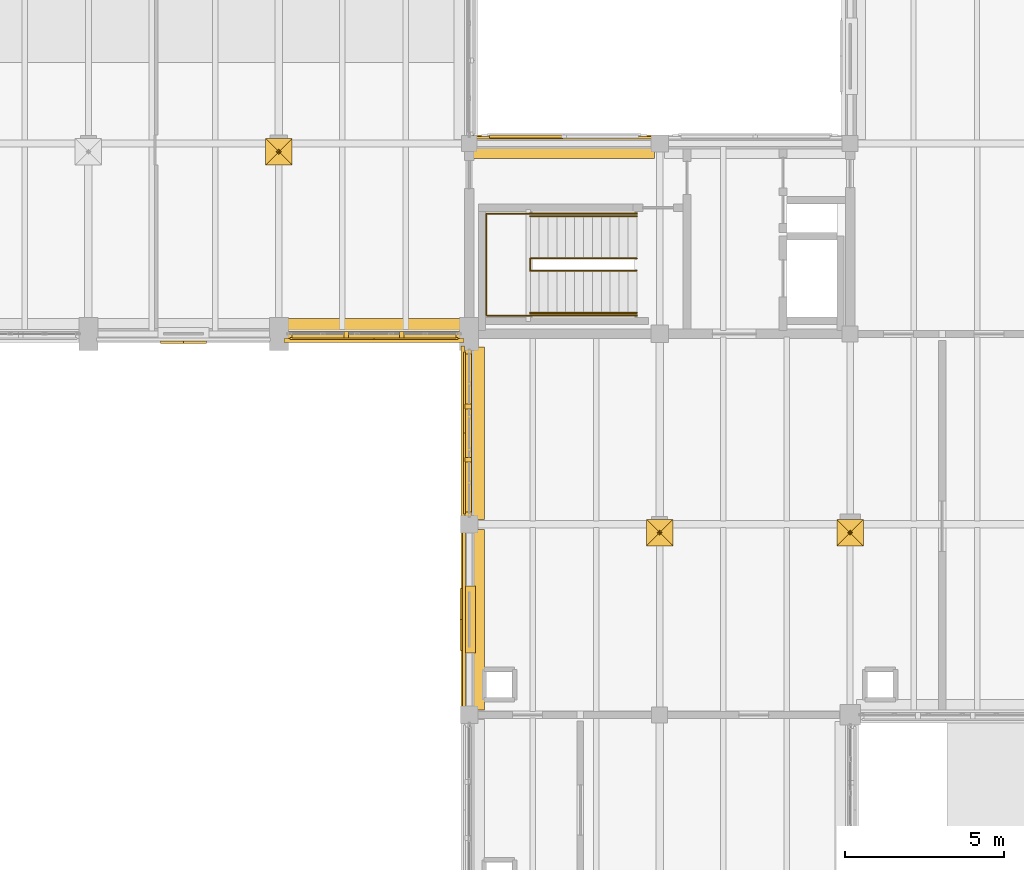
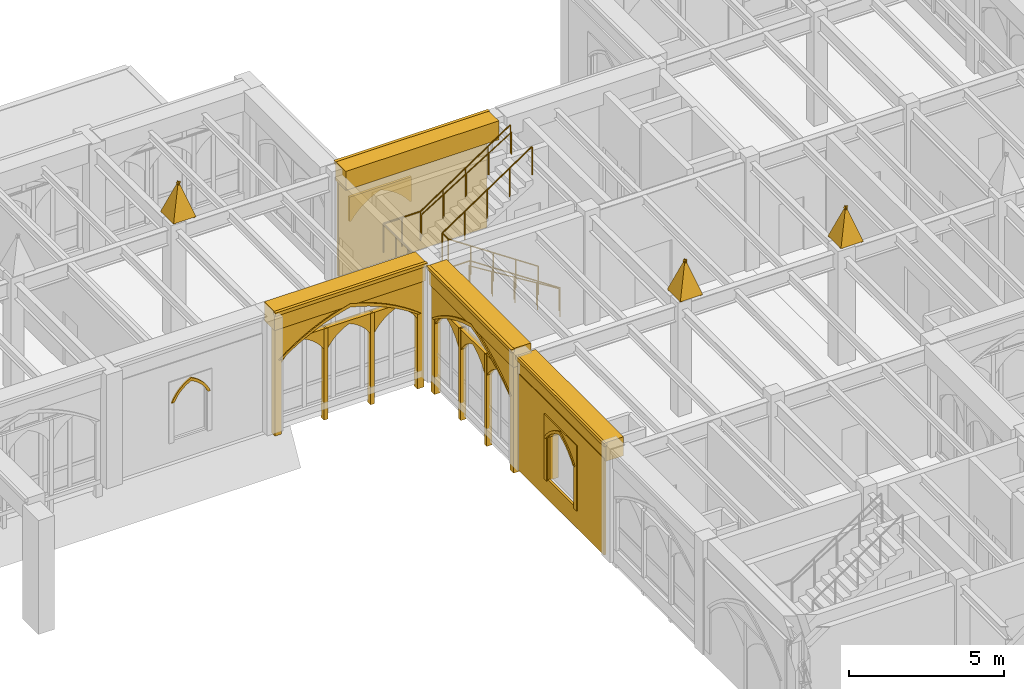
# One storey, part 133 of 143: 40 coverings, 6 railings.
"""IFC4 building model written with IfcOpenShell, lengths in metres."""

from ifc_helpers import new_model, si_unit, direction, frame, origin, origin_2d, place, context, subcontext, project, spatial, polyline, rectangle, circle, outline, extrude, material, type_object, element, save


model = new_model("IFC4")

# Units and contexts
model_context = context("Model", 3, precision=1e-05, world=origin(), true_north=direction((0.0, 1.0)))
body_context = subcontext(model_context, "Body", "Model", "MODEL_VIEW")
ifc_project = project(units=[si_unit("LENGTHUNIT", "METRE"), si_unit("AREAUNIT", "SQUARE_METRE"), si_unit("VOLUMEUNIT", "CUBIC_METRE"), si_unit("PLANEANGLEUNIT", "RADIAN"), si_unit("MASSUNIT", "GRAM", prefix="KILO")], contexts=[model_context])

# Site, building, storey
site_placement = place(None, origin())
site = spatial("IfcSite", under=ifc_project, at=site_placement, CompositionType="ELEMENT")
building_placement = place(site_placement, origin())
building = spatial("IfcBuilding", under=site, at=building_placement, Name="Cumevento Cable Car Station", CompositionType="ELEMENT")
storey_placement = place(building_placement, frame((0.0, 0.0, 9.0)))
storey = spatial("IfcBuildingStorey", under=building, at=storey_placement, Name="L03", CompositionType="ELEMENT", Elevation=9.0)

# Railings
ifc_material_1 = material(Name="Painted Galvanised Architectural Steel", Category="steel")
railing_type_1 = type_object("IfcRailingType", Name="Stair Guardrail GR-S115", PredefinedType="GUARDRAIL", material=ifc_material_1)
railing_1_placement = place(storey_placement, frame((123.280029296875, 46.989990234375, 0.0)))
element("IfcRailing", 1, at=railing_1_placement, inside=storey, type_object=railing_type_1, Name="Stair Well Inner Guardrail ST-06-L03", PredefinedType="GUARDRAIL", context=body_context, shape_type="SweptSolid", body=[
    extrude(circle(Radius=0.02392578125, at=origin_2d()), frame((0.0, 0.0, 1.1259765625), z_axis=(-0.830915400975, 0.0, 0.556398774641), x_axis=(0.0, -1.0, 0.0)), (0.0, 0.0, 1.0), 4.0439453125),
    extrude(circle(Radius=0.02392578125, at=origin_2d()), frame((-3.360107421875, 0.0, 3.3759765625), z_axis=(0.0, 1.0, 0.0), x_axis=(-1.0, 0.0, 0.0)), (0.0, 0.0, 1.0), 0.389892578125),
    extrude(circle(Radius=0.02392578125, at=origin_2d()), frame((-3.360107421875, 0.389892578125, 3.3759765625), z_axis=(0.830915400975, 0.0, 0.556398774641), x_axis=(0.0, 1.0, 0.0)), (0.0, 0.0, 1.0), 4.0439453125),
    extrude(circle(Radius=0.02001953125, at=origin_2d()), origin(), (0.0, 0.0, 1.0), 1.101806640625),
    extrude(circle(Radius=0.02001953125, at=origin_2d()), frame((-0.840087890625, 0.0, 0.5625)), (0.0, 0.0, 1.0), 1.101806640625),
    extrude(circle(Radius=0.02001953125, at=origin_2d()), frame((-1.68017578125, 0.0, 1.125)), (0.0, 0.0, 1.0), 1.101806640625),
    extrude(circle(Radius=0.02001953125, at=origin_2d()), frame((-2.52001953125, 0.0, 1.6875)), (0.0, 0.0, 1.0), 1.101806640625),
    extrude(circle(Radius=0.02001953125, at=origin_2d()), frame((-3.360107421875, 0.0, 2.25)), (0.0, 0.0, 1.0), 1.101806640625),
    extrude(circle(Radius=0.02001953125, at=origin_2d()), frame((-3.360107421875, 0.389892578125, 2.25)), (0.0, 0.0, 1.0), 1.101806640625),
    extrude(circle(Radius=0.02001953125, at=origin_2d()), frame((-2.52001953125, 0.389892578125, 2.8125)), (0.0, 0.0, 1.0), 1.101806640625),
    extrude(circle(Radius=0.02001953125, at=origin_2d()), frame((-1.68017578125, 0.389892578125, 3.375)), (0.0, 0.0, 1.0), 1.101806640625),
    extrude(circle(Radius=0.02001953125, at=origin_2d()), frame((-0.840087890625, 0.389892578125, 3.9375)), (0.0, 0.0, 1.0), 1.101806640625),
    extrude(circle(Radius=0.02001953125, at=origin_2d()), frame((0.0, 0.389892578125, 4.5)), (0.0, 0.0, 1.0), 1.101806640625),
])
railing_2_placement = place(storey_placement, frame((119.919921875, 45.580078125, 2.25)))
element("IfcRailing", 2, at=railing_2_placement, inside=storey, type_object=railing_type_1, Name="Stair Half-Landing Guardrail ST-06-L03", PredefinedType="GUARDRAIL", context=body_context, shape_type="SweptSolid", body=[
    extrude(circle(Radius=0.02392578125, at=origin_2d()), frame((0.0, 0.0, 1.1259765625), z_axis=(-1.0, 0.0, 0.0), x_axis=(0.0, -1.0, 0.0)), (0.0, 0.0, 1.0), 1.3798828125),
    extrude(circle(Radius=0.02392578125, at=origin_2d()), frame((-1.3798828125, 0.0, 1.1259765625), z_axis=(0.0, 1.0, 0.0), x_axis=(-1.0, 0.0, 0.0)), (0.0, 0.0, 1.0), 3.2099609375),
    extrude(circle(Radius=0.02392578125, at=origin_2d()), frame((-1.3798828125, 3.2099609375, 1.1259765625), z_axis=(1.0, 0.0, 0.0), x_axis=(0.0, 1.0, 0.0)), (0.0, 0.0, 1.0), 1.3798828125),
    extrude(circle(Radius=0.02001953125, at=origin_2d()), origin(), (0.0, 0.0, 1.0), 1.101806640625),
    extrude(circle(Radius=0.02001953125, at=origin_2d()), frame((-0.68994140625, 0.0, 0.0)), (0.0, 0.0, 1.0), 1.101806640625),
    extrude(circle(Radius=0.02001953125, at=origin_2d()), frame((-1.3798828125, 0.0, 0.0)), (0.0, 0.0, 1.0), 1.101806640625),
    extrude(circle(Radius=0.02001953125, at=origin_2d()), frame((-1.3798828125, 0.802490234375, 0.0)), (0.0, 0.0, 1.0), 1.101806640625),
    extrude(circle(Radius=0.02001953125, at=origin_2d()), frame((-1.3798828125, 1.60498046875, 0.0)), (0.0, 0.0, 1.0), 1.101806640625),
    extrude(circle(Radius=0.02001953125, at=origin_2d()), frame((-1.3798828125, 2.407470703125, 0.0)), (0.0, 0.0, 1.0), 1.101806640625),
    extrude(circle(Radius=0.02001953125, at=origin_2d()), frame((-1.3798828125, 3.2099609375, 0.0)), (0.0, 0.0, 1.0), 1.101806640625),
    extrude(circle(Radius=0.02001953125, at=origin_2d()), frame((-0.68994140625, 3.2099609375, 0.0)), (0.0, 0.0, 1.0), 1.101806640625),
    extrude(circle(Radius=0.02001953125, at=origin_2d()), frame((0.0, 3.2099609375, 0.0)), (0.0, 0.0, 1.0), 1.101806640625),
])
railing_3_placement = place(storey_placement, frame((123.280029296875, 45.580078125, 0.0)))
element("IfcRailing", 3, at=railing_3_placement, inside=storey, type_object=railing_type_1, Name="Stair Outer Guardrail ST-06-L03 F1", PredefinedType="GUARDRAIL", context=body_context, shape_type="SweptSolid", body=[
    extrude(circle(Radius=0.02392578125, at=origin_2d()), frame((0.0, 0.0, 1.1259765625), z_axis=(-0.830915400975, 0.0, 0.556398774641), x_axis=(0.0, -1.0, 0.0)), (0.0, 0.0, 1.0), 4.0439453125),
    extrude(circle(Radius=0.02001953125, at=origin_2d()), origin(), (0.0, 0.0, 1.0), 1.101806640625),
    extrude(circle(Radius=0.02001953125, at=origin_2d()), frame((-0.840087890625, 0.0, 0.5625)), (0.0, 0.0, 1.0), 1.101806640625),
    extrude(circle(Radius=0.02001953125, at=origin_2d()), frame((-1.68017578125, 0.0, 1.125)), (0.0, 0.0, 1.0), 1.101806640625),
    extrude(circle(Radius=0.02001953125, at=origin_2d()), frame((-2.52001953125, 0.0, 1.6875)), (0.0, 0.0, 1.0), 1.101806640625),
    extrude(circle(Radius=0.02001953125, at=origin_2d()), frame((-3.360107421875, 0.0, 2.25)), (0.0, 0.0, 1.0), 1.101806640625),
])
railing_4_placement = place(storey_placement, frame((119.919921875, 48.7900390625, 2.25)))
element("IfcRailing", 4, at=railing_4_placement, inside=storey, type_object=railing_type_1, Name="Stair Outer Guardrail ST-06-L03 F2", PredefinedType="GUARDRAIL", context=body_context, shape_type="SweptSolid", body=[
    extrude(circle(Radius=0.02392578125, at=origin_2d()), frame((0.0, 0.0, 1.1259765625), z_axis=(0.830915400975, 0.0, 0.556398774641), x_axis=(0.0, 1.0, 0.0)), (0.0, 0.0, 1.0), 4.0439453125),
    extrude(circle(Radius=0.02001953125, at=origin_2d()), origin(), (0.0, 0.0, 1.0), 1.101806640625),
    extrude(circle(Radius=0.02001953125, at=origin_2d()), frame((0.840087890625, 0.0, 0.5625)), (0.0, 0.0, 1.0), 1.101806640625),
    extrude(circle(Radius=0.02001953125, at=origin_2d()), frame((1.68017578125, 0.0, 1.125)), (0.0, 0.0, 1.0), 1.101806640625),
    extrude(circle(Radius=0.02001953125, at=origin_2d()), frame((2.52001953125, 0.0, 1.6875)), (0.0, 0.0, 1.0), 1.101806640625),
    extrude(circle(Radius=0.02001953125, at=origin_2d()), frame((3.360107421875, 0.0, 2.25)), (0.0, 0.0, 1.0), 1.101806640625),
])
ifc_material_2 = material(Name="Brushed Stainless Steel Handrail Tube", Category="steel")
railing_type_2 = type_object("IfcRailingType", Name="Stair Handrail HR-090", PredefinedType="HANDRAIL", material=ifc_material_2)
railing_5_placement = place(storey_placement, frame((123.280029296875, 45.659912109375, 0.17626953125)))
element("IfcRailing", 5, at=railing_5_placement, inside=storey, type_object=railing_type_2, Name="Stair Pitch Handrail ST-06-L03 F1", PredefinedType="HANDRAIL", context=body_context, shape_type="SweptSolid", body=[
    extrude(circle(Radius=0.02099609375, at=origin_2d()), frame((0.0, 0.0, 0.87890625), z_axis=(-0.850623216509, 0.0, 0.525775754039), x_axis=(0.0, -1.0, 0.0)), (0.0, 0.0, 1.0), 3.9501953125),
    extrude(circle(Radius=0.01611328125, at=origin_2d()), origin(), (0.0, 0.0, 1.0), 0.85791015625),
    extrude(circle(Radius=0.01611328125, at=origin_2d()), frame((-0.840087890625, 0.0, 0.519287109375)), (0.0, 0.0, 1.0), 0.85791015625),
    extrude(circle(Radius=0.01611328125, at=origin_2d()), frame((-1.68017578125, 0.0, 1.03857421875)), (0.0, 0.0, 1.0), 0.85791015625),
    extrude(circle(Radius=0.01611328125, at=origin_2d()), frame((-2.52001953125, 0.0, 1.5576171875)), (0.0, 0.0, 1.0), 0.85791015625),
    extrude(circle(Radius=0.01611328125, at=origin_2d()), frame((-3.360107421875, 0.0, 2.076904296875)), (0.0, 0.0, 1.0), 0.85791015625),
])
railing_6_placement = place(storey_placement, frame((119.919921875, 48.7099609375, 2.42626953125)))
element("IfcRailing", 6, at=railing_6_placement, inside=storey, type_object=railing_type_2, Name="Stair Pitch Handrail ST-06-L03 F2", PredefinedType="HANDRAIL", context=body_context, shape_type="SweptSolid", body=[
    extrude(circle(Radius=0.02099609375, at=origin_2d()), frame((0.0, 0.0, 0.87890625), z_axis=(0.850623216509, 0.0, 0.525775754039), x_axis=(0.0, 1.0, 0.0)), (0.0, 0.0, 1.0), 3.9501953125),
    extrude(circle(Radius=0.01611328125, at=origin_2d()), origin(), (0.0, 0.0, 1.0), 0.85791015625),
    extrude(circle(Radius=0.01611328125, at=origin_2d()), frame((0.840087890625, 0.0, 0.519287109375)), (0.0, 0.0, 1.0), 0.85791015625),
    extrude(circle(Radius=0.01611328125, at=origin_2d()), frame((1.68017578125, 0.0, 1.03857421875)), (0.0, 0.0, 1.0), 0.85791015625),
    extrude(circle(Radius=0.01611328125, at=origin_2d()), frame((2.52001953125, 0.0, 1.5576171875)), (0.0, 0.0, 1.0), 0.85791015625),
    extrude(circle(Radius=0.01611328125, at=origin_2d()), frame((3.360107421875, 0.0, 2.076904296875)), (0.0, 0.0, 1.0), 0.85791015625),
])

# Coverings
ifc_material_3 = material(Name="Gnaisse Facoidal Stone Ashlar 85 MPa", Category="masonry")
covering_type = type_object("IfcCoveringType", Name="Gnaisse Ashlar Cladding CV-CL01", PredefinedType="CLADDING", material=ifc_material_3)
for number, where, z_axis, x_axis, name in (
    (7, (111.580078125, 51.159912109375, 4.8701171875), (0.0, 0.951573760476, 0.30742052367), (1.0, 0.0, 0.0), "Gothic Buttress Pinnacle Spire Facet 1 bt:112.0:51.0"),
    (8, (112.419921875, 51.159912109375, 4.8701171875), (0.951573760476, 0.0, 0.30742052367), (0.0, -1.0, 0.0), "Gothic Buttress Pinnacle Spire Facet 2 bt:112.0:51.0"),
    (9, (112.419921875, 50.320068359375, 4.8701171875), (0.0, -0.951573760476, 0.30742052367), (-1.0, 0.0, 0.0), "Gothic Buttress Pinnacle Spire Facet 3 bt:112.0:51.0"),
    (10, (111.580078125, 50.320068359375, 4.8701171875), (-0.951573760476, 0.0, 0.30742052367), (0.0, 1.0, 0.0), "Gothic Buttress Pinnacle Spire Facet 4 bt:112.0:51.0"),
    (11, (123.580078125, 39.159912109375, 4.8701171875), (0.0, 0.951573760476, 0.30742052367), (1.0, 0.0, 0.0), "Gothic Buttress Pinnacle Spire Facet 1 bt:124.0:39.0"),
    (12, (124.419921875, 39.159912109375, 4.8701171875), (0.951573760476, 0.0, 0.30742052367), (0.0, -1.0, 0.0), "Gothic Buttress Pinnacle Spire Facet 2 bt:124.0:39.0"),
    (13, (124.419921875, 38.320068359375, 4.8701171875), (0.0, -0.951573760476, 0.30742052367), (-1.0, 0.0, 0.0), "Gothic Buttress Pinnacle Spire Facet 3 bt:124.0:39.0"),
    (14, (123.580078125, 38.320068359375, 4.8701171875), (-0.951573760476, 0.0, 0.30742052367), (0.0, 1.0, 0.0), "Gothic Buttress Pinnacle Spire Facet 4 bt:124.0:39.0"),
    (15, (129.580078125, 39.159912109375, 4.8701171875), (0.0, 0.951573760476, 0.30742052367), (1.0, 0.0, 0.0), "Gothic Buttress Pinnacle Spire Facet 1 bt:130.0:39.0"),
    (16, (130.419921875, 39.159912109375, 4.8701171875), (0.951573760476, 0.0, 0.30742052367), (0.0, -1.0, 0.0), "Gothic Buttress Pinnacle Spire Facet 2 bt:130.0:39.0"),
    (17, (130.419921875, 38.320068359375, 4.8701171875), (0.0, -0.951573760476, 0.30742052367), (-1.0, 0.0, 0.0), "Gothic Buttress Pinnacle Spire Facet 3 bt:130.0:39.0"),
    (18, (129.580078125, 38.320068359375, 4.8701171875), (-0.951573760476, 0.0, 0.30742052367), (0.0, 1.0, 0.0), "Gothic Buttress Pinnacle Spire Facet 4 bt:130.0:39.0"),
):
    element("IfcCovering", number, at=place(storey_placement, frame(where, z_axis=z_axis, x_axis=x_axis)), inside=storey, type_object=covering_type, Name=name, PredefinedType="CLADDING", context=body_context, shape_type="SweptSolid", body=[
        extrude(outline(polyline([(0.0, 0.0), (0.83984375, 0.0), (0.419921875, -1.3659526370817139), (0.0, 0.0)])), origin(), (0.0, 0.0, -1.0), 0.0849609375),
    ])
covering_1_placement = place(storey_placement, frame((115.0, 45.14990234375, 3.784912109375), z_axis=(0.0, 0.0, 1.0), x_axis=(-1.0, 0.0, 0.0)))
element("IfcCovering", 19, at=covering_1_placement, inside=storey, type_object=covering_type, Name="Gothic Stone Spandrel Stringcourse sc:0651", PredefinedType="CLADDING", context=body_context, shape_type="SweptSolid", body=[
    extrude(rectangle(XDim=5.639892578125, YDim=0.659912109375, at=origin_2d()), origin(), (0.0, 0.0, 1.0), 0.7470703125),
])
covering_2_placement = place(storey_placement, frame((115.0, 44.79248046875, 4.402099609375), z_axis=(0.0, 0.0, 1.0), x_axis=(-1.0, 0.0, 0.0)))
element("IfcCovering", 20, at=covering_2_placement, inside=storey, type_object=covering_type, Name="Gothic Cornice Dripstone Lip sc:0651", PredefinedType="CLADDING", context=body_context, shape_type="SweptSolid", body=[
    extrude(rectangle(XDim=5.679931640625, YDim=0.114990234375, at=origin_2d()), origin(), (0.0, 0.0, 1.0), 0.1298828125),
])
covering_3_placement = place(storey_placement, frame((118.14990234375, 36.0, 3.718017578125), z_axis=(0.0, 0.0, 1.0), x_axis=(0.0, 1.0, 0.0)))
element("IfcCovering", 21, at=covering_3_placement, inside=storey, type_object=covering_type, Name="Gothic Stone Spandrel Stringcourse sc:0678", PredefinedType="CLADDING", context=body_context, shape_type="SweptSolid", body=[
    extrude(rectangle(XDim=5.68994140625, YDim=0.659912109375, at=origin_2d()), origin(), (0.0, 0.0, 1.0), 0.7470703125),
])
covering_4_placement = place(storey_placement, frame((117.79248046875, 36.0, 4.3349609375), z_axis=(0.0, 0.0, 1.0), x_axis=(0.0, 1.0, 0.0)))
element("IfcCovering", 22, at=covering_4_placement, inside=storey, type_object=covering_type, Name="Gothic Cornice Dripstone Lip sc:0678", PredefinedType="CLADDING", context=body_context, shape_type="SweptSolid", body=[
    extrude(rectangle(XDim=5.72998046875, YDim=0.114990234375, at=origin_2d()), origin(), (0.0, 0.0, 1.0), 0.1298828125),
])
covering_5_placement = place(storey_placement, frame((118.14990234375, 41.875, 3.784912109375), z_axis=(0.0, 0.0, 1.0), x_axis=(0.0, 1.0, 0.0)))
element("IfcCovering", 23, at=covering_5_placement, inside=storey, type_object=covering_type, Name="Gothic Stone Spandrel Stringcourse sc:0679", PredefinedType="CLADDING", context=body_context, shape_type="SweptSolid", body=[
    extrude(rectangle(XDim=5.43994140625, YDim=0.659912109375, at=origin_2d()), origin(), (0.0, 0.0, 1.0), 0.7470703125),
])
covering_6_placement = place(storey_placement, frame((117.79248046875, 41.875, 4.402099609375), z_axis=(0.0, 0.0, 1.0), x_axis=(0.0, 1.0, 0.0)))
element("IfcCovering", 24, at=covering_6_placement, inside=storey, type_object=covering_type, Name="Gothic Cornice Dripstone Lip sc:0679", PredefinedType="CLADDING", context=body_context, shape_type="SweptSolid", body=[
    extrude(rectangle(XDim=5.47998046875, YDim=0.114990234375, at=origin_2d()), origin(), (0.0, 0.0, 1.0), 0.1298828125),
])
covering_7_placement = place(storey_placement, frame((120.987548828125, 50.85009765625, 3.784912109375), z_axis=(0.0, 0.0, 1.0), x_axis=(1.0, 0.0, 0.0)))
element("IfcCovering", 25, at=covering_7_placement, inside=storey, type_object=covering_type, Name="Gothic Stone Spandrel Stringcourse sc:0691", PredefinedType="CLADDING", context=body_context, shape_type="SweptSolid", body=[
    extrude(rectangle(XDim=5.715087890625, YDim=0.659912109375, at=origin_2d()), origin(), (0.0, 0.0, 1.0), 0.7470703125),
])
covering_8_placement = place(storey_placement, frame((120.987548828125, 51.20751953125, 4.402099609375), z_axis=(0.0, 0.0, 1.0), x_axis=(1.0, 0.0, 0.0)))
element("IfcCovering", 26, at=covering_8_placement, inside=storey, type_object=covering_type, Name="Gothic Cornice Dripstone Lip sc:0691", PredefinedType="CLADDING", context=body_context, shape_type="SweptSolid", body=[
    extrude(rectangle(XDim=5.7548828125, YDim=0.114990234375, at=origin_2d()), origin(), (0.0, 0.0, 1.0), 0.1298828125),
])
placement_1 = place(storey_placement, frame((117.699951171875, 45.0, -0.419921875), z_axis=(0.0, 0.0, 1.0), x_axis=(-1.0, 0.0, 0.0)))
element("IfcCovering", 27, at=placement_1, inside=storey, type_object=covering_type, Name="Gothic Ogival Pointed-Arch Stone Spandrel cw_ogival:0114", PredefinedType="CLADDING", context=body_context, shape_type="SweptSolid", body=[
    extrude(outline(polyline([(-0.080078125, 0.0), (-0.080078125, 4.344970703125), (5.47998046875, 4.344970703125), (5.47998046875, 0.0), (5.239990234375, 0.0), (5.239990234375, 2.974365234375), (4.95068359375, 3.1748046875), (4.65185546875, 3.3603515625), (4.343994140625, 3.531005859375), (4.0283203125, 3.686279296875), (3.705078125, 3.825439453125), (3.37548828125, 3.948486328125), (3.0400390625, 4.05517578125), (2.699951171875, 4.14501953125), (2.35986328125, 4.05517578125), (2.0244140625, 3.948486328125), (1.69482421875, 3.825439453125), (1.37158203125, 3.686279296875), (1.055908203125, 3.531005859375), (0.748046875, 3.3603515625), (0.44921875, 3.1748046875), (0.159912109375, 2.974365234375), (0.159912109375, 0.0), (-0.080078125, 0.0)])), frame((0.0, 0.139892578125, 0.0), z_axis=(0.0, -1.0, 0.0), x_axis=(1.0, 0.0, 0.0)), (0.0, 0.0, 1.0), 0.219970703125),
])
covering_10_placement = place(storey_placement, frame((117.699951171875, 45.0, 2.554443359375), z_axis=(0.0, 0.0, 1.0), x_axis=(-1.0, 0.0, 0.0)))
element("IfcCovering", 28, at=covering_10_placement, inside=storey, type_object=covering_type, Name="Gothic Pointed Archivolt Hood Moulding cw_ogival:0114", PredefinedType="CLADDING", context=body_context, shape_type="SweptSolid", body=[
    extrude(outline(polyline([(0.159912109375, 0.0), (0.44921875, 0.200439453125), (0.748046875, 0.385986328125), (1.055908203125, 0.556640625), (1.37158203125, 0.7119140625), (1.69482421875, 0.85107421875), (2.0244140625, 0.97412109375), (2.35986328125, 1.080810546875), (2.699951171875, 1.170654296875), (3.0400390625, 1.080810546875), (3.37548828125, 0.97412109375), (3.705078125, 0.85107421875), (4.0283203125, 0.7119140625), (4.343994140625, 0.556640625), (4.65185546875, 0.385986328125), (4.95068359375, 0.200439453125), (5.239990234375, 0.0), (5.35009765625, 0.0), (5.052001953125, 0.22314453125), (4.742919921875, 0.43017578125), (4.42333984375, 0.620849609375), (4.09423828125, 0.794189453125), (3.75634765625, 0.9501953125), (3.41064453125, 1.087890625), (3.05810546875, 1.20751953125), (2.699951171875, 1.30810546875), (2.341796875, 1.20751953125), (1.9892578125, 1.087890625), (1.6435546875, 0.9501953125), (1.3056640625, 0.794189453125), (0.9765625, 0.620849609375), (0.656982421875, 0.43017578125), (0.347900390625, 0.22314453125), (0.050048828125, 0.0), (0.159912109375, 0.0)])), frame((0.0, 0.181884765625, 0.0), z_axis=(0.0, -1.0, 0.0), x_axis=(1.0, 0.0, 0.0)), (0.0, 0.0, 1.0), 0.06689453125),
])
element("IfcCovering", 29, at=placement_1, inside=storey, type_object=covering_type, Name="Gothic Bifora Stone Colonnette cw_ogival:0114 #1", PredefinedType="CLADDING", context=body_context, shape_type="SweptSolid", body=[
    extrude(outline(polyline([(1.75341796875, -0.02001953125), (1.9033203125, -0.02001953125), (1.9033203125, 3.5830078125), (1.75341796875, 3.5830078125), (1.75341796875, -0.02001953125)])), frame((0.0, 0.1279296875, 0.0), z_axis=(0.0, -1.0, 0.0), x_axis=(1.0, 0.0, 0.0)), (0.0, 0.0, 1.0), 0.205078125),
])
element("IfcCovering", 30, at=placement_1, inside=storey, type_object=covering_type, Name="Gothic Bifora Stone Colonnette cw_ogival:0114 #2", PredefinedType="CLADDING", context=body_context, shape_type="SweptSolid", body=[
    extrude(outline(polyline([(3.49658203125, -0.02001953125), (3.646728515625, -0.02001953125), (3.646728515625, 3.5830078125), (3.49658203125, 3.5830078125), (3.49658203125, -0.02001953125)])), frame((0.0, 0.1279296875, 0.0), z_axis=(0.0, -1.0, 0.0), x_axis=(1.0, 0.0, 0.0)), (0.0, 0.0, 1.0), 0.205078125),
])
for number, where, z_axis, x_axis, name in (
    (31, (117.570068359375, 45.0, 2.37451171875), (0.0, 0.0, 1.0), (-1.0, 0.0, 0.0), "Gothic Ogival Pointed-Arch Stone Spandrel cw_ogival:0114:sub:0"),
    (32, (115.82666015625, 45.0, 2.37451171875), (0.0, 0.0, 1.0), (-1.0, 0.0, 0.0), "Gothic Ogival Pointed-Arch Stone Spandrel cw_ogival:0114:sub:1"),
    (33, (114.083251953125, 45.0, 2.37451171875), (0.0, 0.0, 1.0), (-1.0, 0.0, 0.0), "Gothic Ogival Pointed-Arch Stone Spandrel cw_ogival:0114:sub:2"),
):
    element("IfcCovering", number, at=place(storey_placement, frame(where, z_axis=z_axis, x_axis=x_axis)), inside=storey, type_object=covering_type, Name=name, PredefinedType="CLADDING", context=body_context, shape_type="SweptSolid", body=[
        extrude(outline(polyline([(-0.02001953125, 0.0), (-0.02001953125, 0.788818359375), (1.67333984375, 0.788818359375), (1.67333984375, 0.0), (1.61328125, 0.0), (1.51513671875, 0.144775390625), (1.401611328125, 0.2783203125), (1.274658203125, 0.398681640625), (1.13525390625, 0.504638671875), (0.9853515625, 0.594970703125), (0.82666015625, 0.668701171875), (0.66796875, 0.594970703125), (0.51806640625, 0.504638671875), (0.378662109375, 0.398681640625), (0.251708984375, 0.2783203125), (0.13818359375, 0.144775390625), (0.0400390625, 0.0), (-0.02001953125, 0.0)])), frame((0.0, 0.1240234375, 0.0), z_axis=(0.0, -1.0, 0.0), x_axis=(1.0, 0.0, 0.0)), (0.0, 0.0, 1.0), 0.199951171875),
    ])
placement_2 = place(storey_placement, frame((118.0, 39.27490234375, -0.419921875), z_axis=(0.0, 0.0, 1.0), x_axis=(0.0, 1.0, 0.0)))
element("IfcCovering", 34, at=placement_2, inside=storey, type_object=covering_type, Name="Gothic Ogival Pointed-Arch Stone Spandrel cw_ogival:0130", PredefinedType="CLADDING", context=body_context, shape_type="SweptSolid", body=[
    extrude(outline(polyline([(-0.080078125, 0.0), (-0.080078125, 4.344970703125), (5.280029296875, 4.344970703125), (5.280029296875, 0.0), (5.0400390625, 0.0), (5.0400390625, 2.974365234375), (4.76416015625, 3.17431640625), (4.478515625, 3.35986328125), (4.18359375, 3.530517578125), (3.88037109375, 3.685546875), (3.569580078125, 3.824951171875), (3.251953125, 3.9482421875), (2.928466796875, 4.054931640625), (2.60009765625, 4.14501953125), (2.271484375, 4.054931640625), (1.947998046875, 3.9482421875), (1.63037109375, 3.824951171875), (1.319580078125, 3.685546875), (1.016357421875, 3.530517578125), (0.721435546875, 3.35986328125), (0.435791015625, 3.17431640625), (0.159912109375, 2.974365234375), (0.159912109375, 0.0), (-0.080078125, 0.0)])), frame((0.0, 0.139892578125, 0.0), z_axis=(0.0, -1.0, 0.0), x_axis=(1.0, 0.0, 0.0)), (0.0, 0.0, 1.0), 0.219970703125),
])
covering_14_placement = place(storey_placement, frame((118.0, 39.27490234375, 2.554443359375), z_axis=(0.0, 0.0, 1.0), x_axis=(0.0, 1.0, 0.0)))
element("IfcCovering", 35, at=covering_14_placement, inside=storey, type_object=covering_type, Name="Gothic Pointed Archivolt Hood Moulding cw_ogival:0130", PredefinedType="CLADDING", context=body_context, shape_type="SweptSolid", body=[
    extrude(outline(polyline([(0.159912109375, 0.0), (0.435791015625, 0.199951171875), (0.721435546875, 0.385498046875), (1.016357421875, 0.55615234375), (1.319580078125, 0.711181640625), (1.63037109375, 0.8505859375), (1.947998046875, 0.973876953125), (2.271484375, 1.08056640625), (2.60009765625, 1.170654296875), (2.928466796875, 1.08056640625), (3.251953125, 0.973876953125), (3.569580078125, 0.8505859375), (3.88037109375, 0.711181640625), (4.18359375, 0.55615234375), (4.478515625, 0.385498046875), (4.76416015625, 0.199951171875), (5.0400390625, 0.0), (5.14990234375, 0.0), (4.86572265625, 0.22265625), (4.56982421875, 0.4296875), (4.26318359375, 0.6201171875), (3.946533203125, 0.793701171875), (3.620849609375, 0.949462890625), (3.287353515625, 1.087646484375), (2.946533203125, 1.207275390625), (2.60009765625, 1.30810546875), (2.25341796875, 1.207275390625), (1.91259765625, 1.087646484375), (1.5791015625, 0.949462890625), (1.25341796875, 0.793701171875), (0.936767578125, 0.6201171875), (0.630126953125, 0.4296875), (0.334228515625, 0.22265625), (0.050048828125, 0.0), (0.159912109375, 0.0)])), frame((0.0, 0.181884765625, 0.0), z_axis=(0.0, -1.0, 0.0), x_axis=(1.0, 0.0, 0.0)), (0.0, 0.0, 1.0), 0.06689453125),
])
element("IfcCovering", 36, at=placement_2, inside=storey, type_object=covering_type, Name="Gothic Bifora Stone Colonnette cw_ogival:0130 #1", PredefinedType="CLADDING", context=body_context, shape_type="SweptSolid", body=[
    extrude(outline(polyline([(1.686767578125, -0.02001953125), (1.836669921875, -0.02001953125), (1.836669921875, 3.5830078125), (1.686767578125, 3.5830078125), (1.686767578125, -0.02001953125)])), frame((0.0, 0.1279296875, 0.0), z_axis=(0.0, -1.0, 0.0), x_axis=(1.0, 0.0, 0.0)), (0.0, 0.0, 1.0), 0.205078125),
])
element("IfcCovering", 37, at=placement_2, inside=storey, type_object=covering_type, Name="Gothic Bifora Stone Colonnette cw_ogival:0130 #2", PredefinedType="CLADDING", context=body_context, shape_type="SweptSolid", body=[
    extrude(outline(polyline([(3.36328125, -0.02001953125), (3.513427734375, -0.02001953125), (3.513427734375, 3.5830078125), (3.36328125, 3.5830078125), (3.36328125, -0.02001953125)])), frame((0.0, 0.1279296875, 0.0), z_axis=(0.0, -1.0, 0.0), x_axis=(1.0, 0.0, 0.0)), (0.0, 0.0, 1.0), 0.205078125),
])
for number, where, z_axis, x_axis, name in (
    (38, (118.0, 39.405029296875, 2.37451171875), (0.0, 0.0, 1.0), (0.0, 1.0, 0.0), "Gothic Ogival Pointed-Arch Stone Spandrel cw_ogival:0130:sub:0"),
    (39, (118.0, 41.081787109375, 2.37451171875), (0.0, 0.0, 1.0), (0.0, 1.0, 0.0), "Gothic Ogival Pointed-Arch Stone Spandrel cw_ogival:0130:sub:1"),
    (40, (118.0, 42.75830078125, 2.37451171875), (0.0, 0.0, 1.0), (0.0, 1.0, 0.0), "Gothic Ogival Pointed-Arch Stone Spandrel cw_ogival:0130:sub:2"),
):
    element("IfcCovering", number, at=place(storey_placement, frame(where, z_axis=z_axis, x_axis=x_axis)), inside=storey, type_object=covering_type, Name=name, PredefinedType="CLADDING", context=body_context, shape_type="SweptSolid", body=[
        extrude(outline(polyline([(-0.02001953125, 0.0), (-0.02001953125, 0.788818359375), (1.606689453125, 0.788818359375), (1.606689453125, 0.0), (1.546630859375, 0.0), (1.454833984375, 0.144287109375), (1.34765625, 0.27734375), (1.226318359375, 0.39794921875), (1.09228515625, 0.504150390625), (0.947509765625, 0.5947265625), (0.793212890625, 0.668701171875), (0.63916015625, 0.5947265625), (0.494384765625, 0.504150390625), (0.3603515625, 0.39794921875), (0.239013671875, 0.27734375), (0.1318359375, 0.144287109375), (0.0400390625, 0.0), (-0.02001953125, 0.0)])), frame((0.0, 0.1240234375, 0.0), z_axis=(0.0, -1.0, 0.0), x_axis=(1.0, 0.0, 0.0)), (0.0, 0.0, 1.0), 0.199951171875),
    ])
covering_17_placement = place(storey_placement, frame((109.764892578125, 45.0, 2.347900390625), z_axis=(0.0, 0.0, 1.0), x_axis=(-1.0, 0.0, 0.0)))
element("IfcCovering", 41, at=covering_17_placement, inside=storey, type_object=covering_type, Name="Gothic Pointed Archivolt Hood Moulding op_ogival:0249:1", PredefinedType="CLADDING", context=body_context, shape_type="SweptSolid", body=[
    extrude(outline(polyline([(0.139892578125, 0.0), (0.19775390625, 0.117431640625), (0.267578125, 0.228271484375), (0.348388671875, 0.3310546875), (0.439697265625, 0.4248046875), (0.540283203125, 0.508544921875), (0.649169921875, 0.5810546875), (0.764892578125, 0.64208984375), (0.880859375, 0.5810546875), (0.98974609375, 0.508544921875), (1.09033203125, 0.4248046875), (1.181640625, 0.3310546875), (1.262451171875, 0.228271484375), (1.332275390625, 0.117431640625), (1.389892578125, 0.0), (1.489013671875, 0.0), (1.423828125, 0.1396484375), (1.34423828125, 0.271484375), (1.2509765625, 0.39404296875), (1.14501953125, 0.505859375), (1.02783203125, 0.60595703125), (0.900634765625, 0.69287109375), (0.764892578125, 0.765869140625), (0.62939453125, 0.69287109375), (0.502197265625, 0.60595703125), (0.385009765625, 0.505859375), (0.279052734375, 0.39404296875), (0.185791015625, 0.271484375), (0.106201171875, 0.1396484375), (0.041015625, 0.0), (0.139892578125, 0.0)])), frame((0.0, 0.294921875, 0.0), z_axis=(0.0, -1.0, 0.0), x_axis=(1.0, 0.0, 0.0)), (0.0, 0.0, 1.0), 0.06689453125),
])
covering_18_placement = place(storey_placement, frame((118.0, 33.27490234375, 0.0), z_axis=(0.0, 0.0, 1.0), x_axis=(0.0, 1.0, 0.0)))
element("IfcCovering", 42, at=covering_18_placement, inside=storey, type_object=covering_type, Name="Exterior Gnaisse Stone Wall Ashlar #257", PredefinedType="CLADDING", context=body_context, shape_type="SweptSolid", body=[
    extrude(outline(polyline([(-0.0400390625, -0.02001953125), (5.489990234375, -0.02001953125), (5.489990234375, 3.798095703125), (-0.0400390625, 3.798095703125), (-0.0400390625, -0.02001953125)]), holes=[polyline([(1.860107421875, 0.760009765625), (3.590087890625, 0.760009765625), (3.590087890625, 3.0400390625), (1.860107421875, 3.0400390625), (1.860107421875, 0.760009765625)])]), frame((0.0, 0.20751953125, 0.0), z_axis=(0.0, -1.0, 0.0), x_axis=(1.0, 0.0, 0.0)), (0.0, 0.0, 1.0), 0.0849609375),
])
covering_19_placement = place(storey_placement, frame((118.0, 34.985107421875, 0.699951171875), z_axis=(0.0, 0.0, 1.0), x_axis=(0.0, 1.0, 0.0)))
element("IfcCovering", 43, at=covering_19_placement, inside=storey, type_object=covering_type, Name="Gothic Ogival Pointed-Arch Stone Spandrel op_ogival:0257:1", PredefinedType="CLADDING", context=body_context, shape_type="SweptSolid", body=[
    extrude(outline(polyline([(-0.0400390625, 0.0), (-0.0400390625, 2.570068359375), (2.070068359375, 2.570068359375), (2.070068359375, 0.0), (1.889892578125, 0.0), (1.889892578125, 1.7060546875), (1.79296875, 1.834716796875), (1.685302734375, 1.954345703125), (1.567626953125, 2.064453125), (1.440673828125, 2.16357421875), (1.305419921875, 2.25146484375), (1.163330078125, 2.3271484375), (1.014892578125, 2.39013671875), (0.86669921875, 2.3271484375), (0.724609375, 2.25146484375), (0.58935546875, 2.16357421875), (0.46240234375, 2.064453125), (0.3447265625, 1.954345703125), (0.237060546875, 1.834716796875), (0.139892578125, 1.7060546875), (0.139892578125, 0.0), (-0.0400390625, 0.0)])), frame((0.0, 0.24560546875, 0.0), z_axis=(0.0, -1.0, 0.0), x_axis=(1.0, 0.0, 0.0)), (0.0, 0.0, 1.0), 0.445068359375),
])
covering_20_placement = place(storey_placement, frame((118.0, 34.985107421875, 2.406005859375), z_axis=(0.0, 0.0, 1.0), x_axis=(0.0, 1.0, 0.0)))
element("IfcCovering", 44, at=covering_20_placement, inside=storey, type_object=covering_type, Name="Gothic Pointed Archivolt Hood Moulding op_ogival:0257:1", PredefinedType="CLADDING", context=body_context, shape_type="SweptSolid", body=[
    extrude(outline(polyline([(0.139892578125, 0.0), (0.237060546875, 0.128662109375), (0.3447265625, 0.248291015625), (0.46240234375, 0.3583984375), (0.58935546875, 0.45751953125), (0.724609375, 0.54541015625), (0.86669921875, 0.62109375), (1.014892578125, 0.68408203125), (1.163330078125, 0.62109375), (1.305419921875, 0.54541015625), (1.440673828125, 0.45751953125), (1.567626953125, 0.3583984375), (1.685302734375, 0.248291015625), (1.79296875, 0.128662109375), (1.889892578125, 0.0), (1.989013671875, 0.0), (1.884521484375, 0.151123046875), (1.7666015625, 0.292236328125), (1.63623046875, 0.421875), (1.494873046875, 0.5390625), (1.34326171875, 0.64306640625), (1.182861328125, 0.73291015625), (1.014892578125, 0.807861328125), (0.84716796875, 0.73291015625), (0.686767578125, 0.64306640625), (0.53515625, 0.5390625), (0.393798828125, 0.421875), (0.263427734375, 0.292236328125), (0.1455078125, 0.151123046875), (0.041015625, 0.0), (0.139892578125, 0.0)])), frame((0.0, 0.28759765625, 0.0), z_axis=(0.0, -1.0, 0.0), x_axis=(1.0, 0.0, 0.0)), (0.0, 0.0, 1.0), 0.06689453125),
])
covering_21_placement = place(storey_placement, frame((118.25, 51.0, 0.0), z_axis=(0.0, 0.0, 1.0), x_axis=(1.0, 0.0, 0.0)))
element("IfcCovering", 45, at=covering_21_placement, inside=storey, type_object=covering_type, Name="Exterior Gnaisse Stone Wall Ashlar #259", PredefinedType="CLADDING", context=body_context, shape_type="SweptSolid", body=[
    extrude(outline(polyline([(-0.0400390625, -0.02001953125), (5.514892578125, -0.02001953125), (5.514892578125, 3.864990234375), (-0.0400390625, 3.864990234375), (-0.0400390625, -0.02001953125)])), frame((0.0, 0.222412109375, 0.0), z_axis=(0.0, -1.0, 0.0), x_axis=(1.0, 0.0, 0.0)), (0.0, 0.0, 1.0), 0.0849609375),
])
covering_22_placement = place(storey_placement, frame((118.659912109375, 51.0, 1.97314453125), z_axis=(0.0, 0.0, 1.0), x_axis=(1.0, 0.0, 0.0)))
element("IfcCovering", 46, at=covering_22_placement, inside=storey, type_object=covering_type, Name="Gothic Ogival Pointed-Arch Stone Spandrel blind_ogival:0259:sub:0", PredefinedType="CLADDING", context=body_context, shape_type="SweptSolid", body=[
    extrude(outline(polyline([(-0.02001953125, 0.0), (-0.02001953125, 0.966064453125), (2.302490234375, 0.966064453125), (2.302490234375, 0.0), (2.242431640625, 0.0), (2.09765625, 0.184814453125), (1.934814453125, 0.354248046875), (1.756103515625, 0.506591796875), (1.562744140625, 0.64013671875), (1.357177734375, 0.753662109375), (1.141357421875, 0.84619140625), (0.92529296875, 0.753662109375), (0.7197265625, 0.64013671875), (0.5263671875, 0.506591796875), (0.34765625, 0.354248046875), (0.184814453125, 0.184814453125), (0.0400390625, 0.0), (-0.02001953125, 0.0)])), frame((0.0, 0.261474609375, 0.0), z_axis=(0.0, -1.0, 0.0), x_axis=(1.0, 0.0, 0.0)), (0.0, 0.0, 1.0), 0.090087890625),
])

save(model, "model.ifc")
